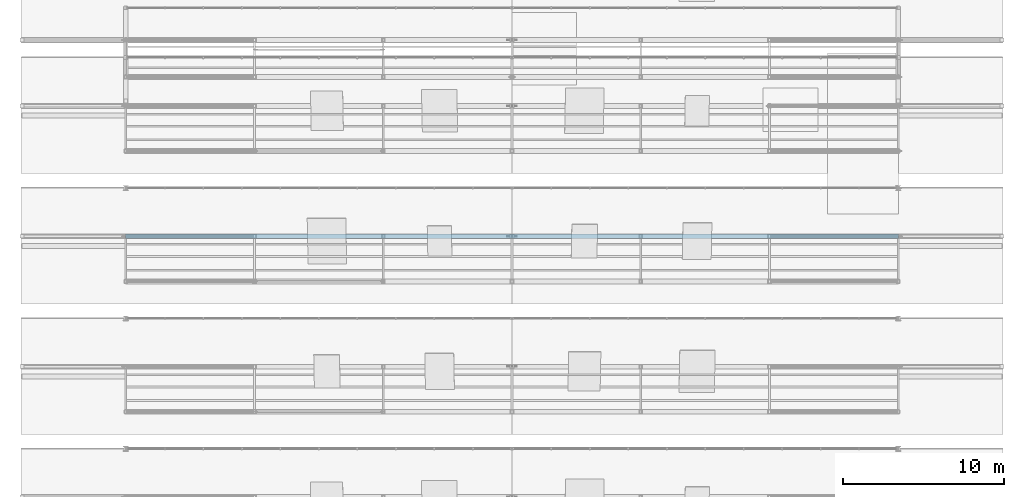
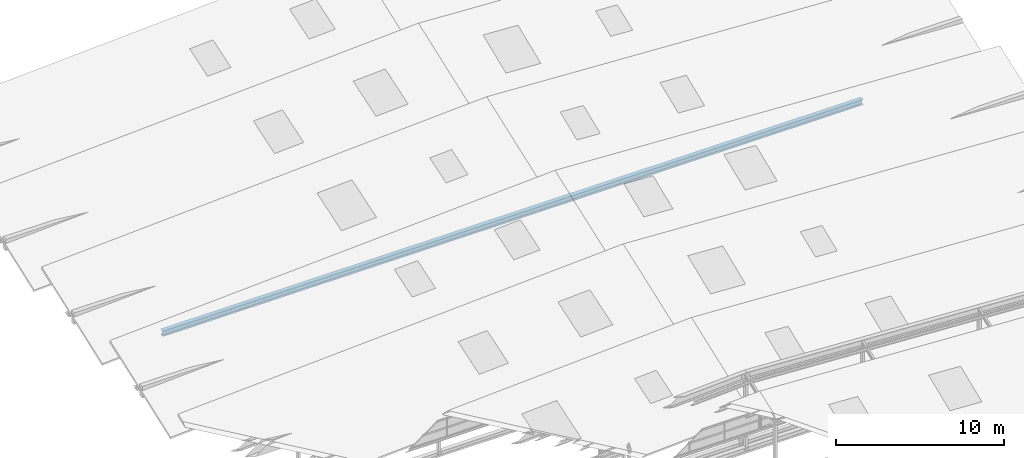
# One storey, part 83 of 141: 1 member.
"""IFC4 building model written with IfcOpenShell, lengths in metres."""

from ifc_helpers import new_model, si_unit, direction, frame, origin, origin_2d, place, context, subcontext, project, spatial, i_section, extrude, material, material_profile, profile_set, type_object, element, save


model = new_model("IFC4")

# Units and contexts
model_context = context("Model", 3, precision=1e-05, world=origin(), true_north=direction((0.0, 1.0)))
body_context = subcontext(model_context, "Body", "Model", "MODEL_VIEW")
ifc_project = project(units=[si_unit("LENGTHUNIT", "METRE"), si_unit("AREAUNIT", "SQUARE_METRE"), si_unit("VOLUMEUNIT", "CUBIC_METRE"), si_unit("PLANEANGLEUNIT", "RADIAN"), si_unit("MASSUNIT", "GRAM", prefix="KILO")], contexts=[model_context])

# Site, building, storey
site_placement = place(None, origin())
site = spatial("IfcSite", under=ifc_project, at=site_placement, CompositionType="ELEMENT")
building_placement = place(site_placement, origin())
building = spatial("IfcBuilding", under=site, at=building_placement, Name="Sundkrona Museum", CompositionType="ELEMENT")
storey_placement = place(building_placement, frame((0.0, 0.0, 34.0)))
storey = spatial("IfcBuildingStorey", under=building, at=storey_placement, Name="RF", CompositionType="ELEMENT", Elevation=34.0)

# Member
ifc_material = material(Name="Steel S355J2", Category="steel")
ifc_material_profile = material_profile(ifc_material, i_section(OverallWidth=0.300048828125, OverallDepth=0.39990234375, WebThickness=0.013427734375, FlangeThickness=0.02392578125, FilletRadius=0.027099609375, at=origin_2d()), Name="HEB 400")
ifc_profile_set = profile_set([ifc_material_profile], Name="Steel S355J2")
member_type = type_object("IfcMemberType", Name="TC-HEB400", PredefinedType="CHORD", material=ifc_profile_set)
member_placement = place(storey_placement, frame((120.0, 31.60009765625, -0.25), z_axis=(1.0, 0.0, 0.0), x_axis=(0.0, 1.0, 0.0)))
element("IfcMember", 1, at=member_placement, inside=storey, type_object=member_type, Name="RFS-1 Sawtooth Truss 5 Continuous Bottom Tie Chord", PredefinedType="CHORD", context=body_context, shape_type="SweptSolid", body=[
    extrude(i_section(OverallWidth=0.300048828125, OverallDepth=0.39990234375, WebThickness=0.013427734375, FlangeThickness=0.02392578125, FilletRadius=0.027099609375, at=origin_2d()), origin(), (0.0, 0.0, 1.0), 48.0),
])

save(model, "model.ifc")
